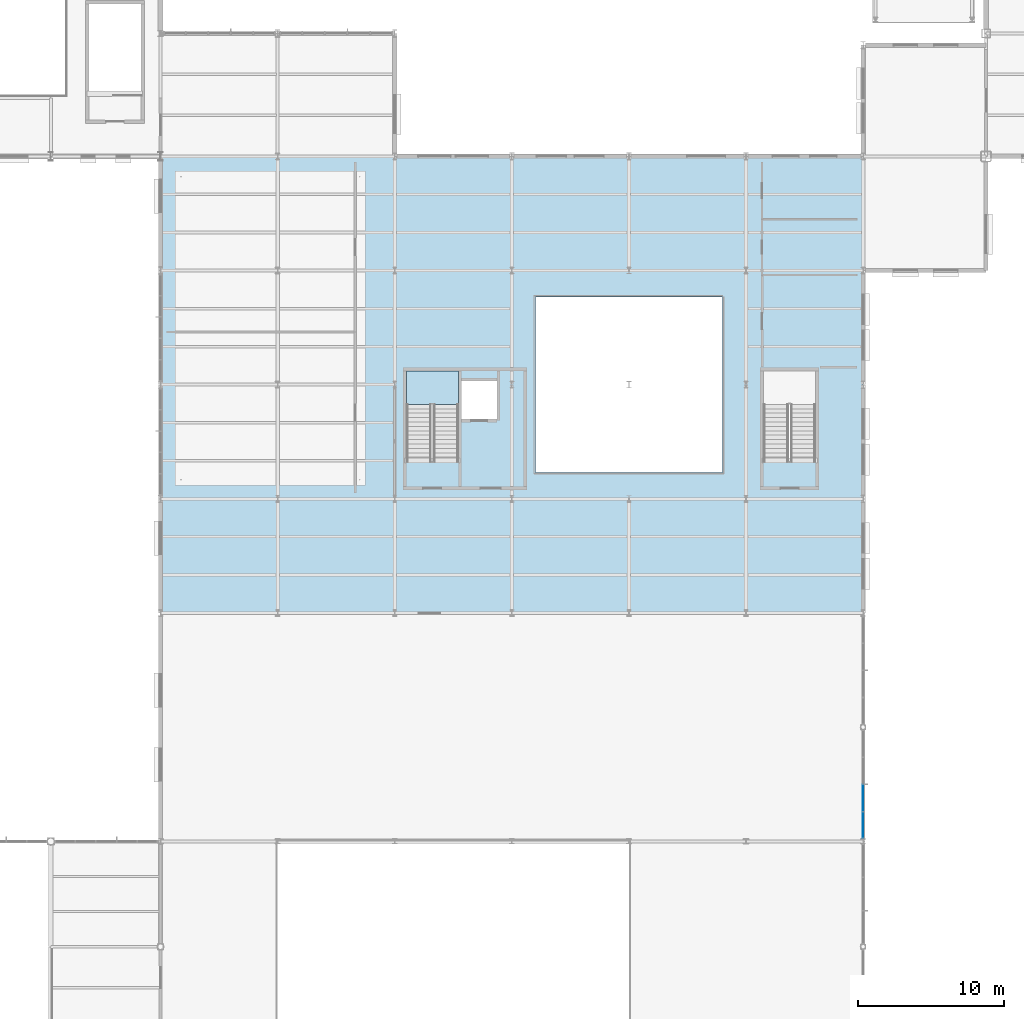
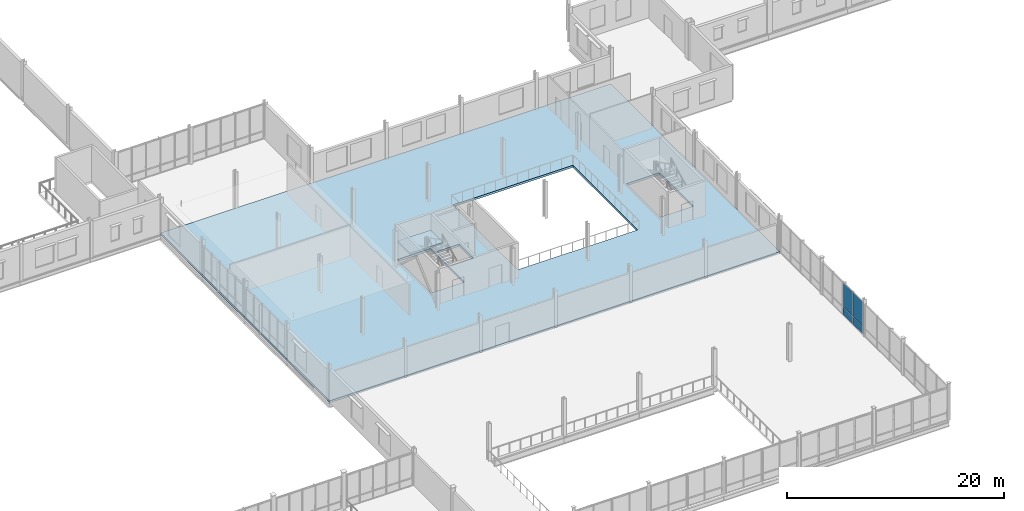
# One storey, part 47 of 75: 4 plates, 2 slabs, 2 elements without a shape of their own.
"""IFC4 building model written with IfcOpenShell, lengths in metres."""

import ifcopenshell
import ifcopenshell.guid

model = None  # the IFC model being written
_history = None  # IfcOwnerHistory: only IFC2X3 demands one
_inside = {}  # id of a spatial element -> (the spatial element, [elements in it])
_under = {}  # id of a project, library or spatial element -> (it, [spatial elements below it])
_declared = {}  # id of a project -> (the project, [libraries it declares])
_typed = {}  # id of a type object -> (the type object, [elements of that type])
_made_of = {}  # id of a material, layer set ... -> (it, [elements and type objects made of it])


def new_model(schema):
    """Start an empty IFC model of exactly this schema.

    Asked for "IFC4X3", IfcOpenShell would pick the latest addendum, in which some entities
    have other attributes; the version numbers below select the first issue.
    IFC2X3 requires an IfcOwnerHistory on every rooted entity: one is made here for all.
    """
    global model, _history
    if schema == "IFC4X3":
        model = ifcopenshell.file(schema_version=(4, 3, 0, 0))
    else:
        model = ifcopenshell.file(schema=schema)
    _inside.clear()
    _under.clear()
    _declared.clear()
    _typed.clear()
    _made_of.clear()
    _history = None
    if model.schema == "IFC2X3":
        org = make("IfcOrganization", Name="unknown")
        user = make(
            "IfcPersonAndOrganization",
            ThePerson=make("IfcPerson", FamilyName="unknown"),
            TheOrganization=org,
        )
        app = make(
            "IfcApplication",
            ApplicationDeveloper=org,
            Version="unknown",
            ApplicationFullName="unknown",
            ApplicationIdentifier="unknown",
        )
        _history = make(
            "IfcOwnerHistory",
            OwningUser=user,
            OwningApplication=app,
            ChangeAction="ADDED",
            CreationDate=0,
        )
    return model


def make(cls, **values):
    """One entity of the class cls with the attributes given. An attribute that is None is left unset."""
    return model.create_entity(
        cls, **{name: value for name, value in values.items() if value is not None}
    )


def rooted(cls, **values):
    """An entity with a GlobalId (a new one), such as an element, a storey or a relation."""
    return make(cls, GlobalId=ifcopenshell.guid.new(), OwnerHistory=_history, **values)


def si_unit(unit_type, name, prefix=None):
    """IfcSIUnit, for example si_unit("LENGTHUNIT", "METRE", prefix="MILLI")."""
    return make("IfcSIUnit", UnitType=unit_type, Prefix=prefix, Name=name)


def assignment(units):
    """IfcUnitAssignment: the units of a project."""
    return None if units is None else make("IfcUnitAssignment", Units=units)


def point(xyz):
    """IfcCartesianPoint."""
    return None if xyz is None else make("IfcCartesianPoint", Coordinates=xyz)


def direction(xyz):
    """IfcDirection."""
    return None if xyz is None else make("IfcDirection", DirectionRatios=xyz)


def frame(location, z_axis=None, x_axis=None):
    """IfcAxis2Placement3D, a coordinate frame: its origin and axes. An axis left out is left unset."""
    return make(
        "IfcAxis2Placement3D",
        Location=point(location),
        Axis=direction(z_axis),
        RefDirection=direction(x_axis),
    )


def frame_2d(location, x_axis=None):
    """IfcAxis2Placement2D, a coordinate frame in the plane: its origin and x axis."""
    return make(
        "IfcAxis2Placement2D", Location=point(location), RefDirection=direction(x_axis)
    )


def origin():
    """The frame at (0, 0, 0) with its axes left unset."""
    return frame((0.0, 0.0, 0.0))


def origin_2d():
    """The frame at (0, 0) in the plane with its x axis left unset."""
    return frame_2d((0.0, 0.0))


def place(relative_to, where):
    """IfcLocalPlacement: puts the frame where relative to a parent placement (None: the world)."""
    return make(
        "IfcLocalPlacement", PlacementRelTo=relative_to, RelativePlacement=where
    )


def context(
    kind, dimensions, precision=None, world=None, true_north=None, identifier=None
):
    """IfcGeometricRepresentationContext, for example the 3D "Model" context."""
    return make(
        "IfcGeometricRepresentationContext",
        ContextIdentifier=identifier,
        ContextType=kind,
        CoordinateSpaceDimension=dimensions,
        Precision=precision,
        WorldCoordinateSystem=world,
        TrueNorth=true_north,
    )


def subcontext(parent, identifier, kind, view, scale=None):
    """IfcGeometricRepresentationSubContext, for example "Body" below "Model"."""
    return make(
        "IfcGeometricRepresentationSubContext",
        ContextIdentifier=identifier,
        ContextType=kind,
        ParentContext=parent,
        TargetScale=scale,
        TargetView=view,
    )


def project(units=None, contexts=None):
    """IfcProject with its units and contexts."""
    return rooted(
        "IfcProject",
        Name="project",
        RepresentationContexts=contexts,
        UnitsInContext=assignment(units),
    )


def spatial(cls, under=None, at=None, **own):
    """A site, building, storey or space (cls), placed at a placement, below another one or the project."""
    s = rooted(cls, ObjectPlacement=at, **own)
    if under is not None:
        _under.setdefault(under.id(), (under, []))[1].append(s)
    return s


def polyline(points):
    """IfcPolyline through the points."""
    return make("IfcPolyline", Points=[point(p) for p in points])


def profile(cls, at=None, kind="AREA", **sizes):
    """A parametric profile (cls). Its sizes go by their IFC names, for example OverallWidth=200.0."""
    return make(cls, ProfileType=kind, Position=at, **sizes)


def rectangle(**sizes):
    """IfcRectangleProfileDef."""
    return profile("IfcRectangleProfileDef", **sizes)


def outline(outer, holes=None, kind="AREA"):
    """IfcArbitraryClosedProfileDef: a profile drawn as a closed curve; with holes, ...WithVoids."""
    if holes is None:
        return make("IfcArbitraryClosedProfileDef", ProfileType=kind, OuterCurve=outer)
    return make(
        "IfcArbitraryProfileDefWithVoids",
        ProfileType=kind,
        OuterCurve=outer,
        InnerCurves=holes,
    )


def extrude(swept, where, along, depth):
    """IfcExtrudedAreaSolid: the profile swept, set in the frame where, extruded along a direction by depth."""
    return make(
        "IfcExtrudedAreaSolid",
        SweptArea=swept,
        Position=where,
        ExtrudedDirection=direction(along),
        Depth=depth,
    )


def shape(context_of_items, identifier, shape_type, items):
    """IfcShapeRepresentation: the items that make up one representation, for example the "Body"."""
    return make(
        "IfcShapeRepresentation",
        ContextOfItems=context_of_items,
        RepresentationIdentifier=identifier,
        RepresentationType=shape_type,
        Items=items,
    )


def material(Name=None, Category=None):
    """IfcMaterial."""
    return make("IfcMaterial", Name=Name, Category=Category)


def layer(
    of_material, thickness, ventilated=None, Name=None, Category=None, Priority=None
):
    """IfcMaterialLayer: one layer of a wall or slab, of a material (None: an air gap)."""
    return make(
        "IfcMaterialLayer",
        Material=of_material,
        LayerThickness=thickness,
        IsVentilated=ventilated,
        Name=Name,
        Category=Category,
        Priority=Priority,
    )


def layer_set(layers, Name=None):
    """IfcMaterialLayerSet."""
    return make("IfcMaterialLayerSet", MaterialLayers=layers, LayerSetName=Name)


def made_of(thing, what):
    """Note that an element or type object is made of a material, layer set ...; save() writes the relation."""
    if what is not None:
        _made_of.setdefault(what.id(), (what, []))[1].append(thing)
    return thing


def type_object(cls, material=None, **own):
    """A type object (cls), such as IfcWallType, which elements share."""
    return made_of(rooted(cls, **own), material)


def element(
    cls,
    number,
    at=None,
    inside=None,
    cuts=None,
    type_object=None,
    material=None,
    context=None,
    identifier="Body",
    shape_type=None,
    held_by="IfcProductDefinitionShape",
    body=None,
    shapes=None,
    **own,
):
    """One element of the class cls, such as IfcWall. Its Tag is "e" and its number.

    at: its placement. inside: the storey or other place that contains it. cuts: it is an
    opening in that element (IfcRelVoidsElement). A single representation is given by context,
    identifier, shape_type and body (its items); several are given by shapes. held_by: the class
    of the entity that holds the representations. save() writes the other relations.
    """
    e = rooted(cls, Tag="e%d" % number, ObjectPlacement=at, **own)
    if body is not None:
        shapes = [shape(context, identifier, shape_type, body)]
    if shapes is not None:
        e.Representation = make(held_by, Representations=shapes)
    if inside is not None:
        _inside.setdefault(inside.id(), (inside, []))[1].append(e)
    if cuts is not None:
        rooted(
            "IfcRelVoidsElement", RelatingBuildingElement=cuts, RelatedOpeningElement=e
        )
    if type_object is not None:
        _typed.setdefault(type_object.id(), (type_object, []))[1].append(e)
    return made_of(e, material)


def aggregate(whole, parts):
    """IfcRelAggregates: a whole, such as a stair, and the parts it consists of."""
    return rooted("IfcRelAggregates", RelatingObject=whole, RelatedObjects=parts)


def save(model, path):
    """Write the relations noted so far, then the file.

    IfcRelAggregates (storeys below a building ...), IfcRelContainedInSpatialStructure (elements
    in a storey), IfcRelDefinesByType, IfcRelAssociatesMaterial and IfcRelDeclares: one each for
    every whole, place, type object, material and project.
    """
    for whole, parts in _under.values():
        aggregate(whole, parts)
    for where, things in _inside.values():
        rooted(
            "IfcRelContainedInSpatialStructure",
            RelatedElements=things,
            RelatingStructure=where,
        )
    for kind, things in _typed.values():
        rooted("IfcRelDefinesByType", RelatedObjects=things, RelatingType=kind)
    for what, things in _made_of.values():
        rooted("IfcRelAssociatesMaterial", RelatedObjects=things, RelatingMaterial=what)
    for by, libraries in _declared.values():
        rooted("IfcRelDeclares", RelatingContext=by, RelatedDefinitions=libraries)
    model.write(path)


model = new_model("IFC4")

# Units and contexts
model_context = context("Model", 3, precision=1e-05, world=origin(), true_north=direction((0.0, 1.0)))
body_context = subcontext(model_context, "Body", "Model", "MODEL_VIEW")
ifc_project = project(units=[si_unit("LENGTHUNIT", "METRE"), si_unit("AREAUNIT", "SQUARE_METRE"), si_unit("VOLUMEUNIT", "CUBIC_METRE"), si_unit("PLANEANGLEUNIT", "RADIAN"), si_unit("MASSUNIT", "GRAM", prefix="KILO")], contexts=[model_context])

# Site, building, storey
site_placement = place(None, origin())
site = spatial("IfcSite", under=ifc_project, at=site_placement, CompositionType="ELEMENT")
building_placement = place(site_placement, origin())
building = spatial("IfcBuilding", under=site, at=building_placement, Name="Yukiwa Park Conservatory and Herbarium", CompositionType="ELEMENT")
storey_placement = place(building_placement, frame((0.0, 0.0, 4.800048828125)))
storey = spatial("IfcBuildingStorey", under=building, at=storey_placement, Name="L01", CompositionType="ELEMENT", Elevation=4.800048828125)

# Curtain wall, plates
ifc_material_1 = material(Name="Triple Low-E Insulated Glass", Category="glass")
ifc_layer_1 = layer(ifc_material_1, 0.18798828125)
ifc_layer_set_1 = layer_set([ifc_layer_1], Name="Triple Low-E Insulated Glass")
curtain_wall_type = type_object("IfcCurtainWallType", Name="CW-CONCOURSE-2000", PredefinedType="NOTDEFINED", material=ifc_layer_set_1)
curtain_wall_placement = place(storey_placement, origin())
curtain_wall = element("IfcCurtainWall", 1, at=curtain_wall_placement, inside=storey, type_object=curtain_wall_type, Name="L01 unitised curtain wall CW-L01-044", PredefinedType="NOTDEFINED")
ifc_material_2 = material(Name="Triple Low-E Insulated Glass", Category="glass")
ifc_layer_2 = layer(ifc_material_2, 0.035888671875)
ifc_layer_set_2 = layer_set([ifc_layer_2], Name="Triple Low-E Insulated Glass")
plate_type_1 = type_object("IfcPlateType", Name="PL-CW-GLZ-36", PredefinedType="CURTAIN_PANEL", material=ifc_layer_set_2)
plate_1_placement = place(storey_placement, frame((108.0, 32.305908203125, 0.93505859375), z_axis=(0.0, 0.0, 1.0), x_axis=(0.0, 1.0, 0.0)))
plate_1 = element("IfcPlate", 2, at=plate_1_placement, type_object=plate_type_1, Name="CW-L01-044 vision panel 1.2", PredefinedType="CURTAIN_PANEL", context=body_context, shape_type="SweptSolid", body=[
    extrude(rectangle(XDim=1.791748046875, YDim=0.035888671875, at=origin_2d()), origin(), (0.0, 0.0, 1.0), 2.695068359375),
])
plate_2_placement = place(storey_placement, frame((108.0, 34.167724609375, 0.93505859375), z_axis=(0.0, 0.0, 1.0), x_axis=(0.0, 1.0, 0.0)))
plate_2 = element("IfcPlate", 3, at=plate_2_placement, type_object=plate_type_1, Name="CW-L01-044 vision panel 2.2", PredefinedType="CURTAIN_PANEL", context=body_context, shape_type="SweptSolid", body=[
    extrude(rectangle(XDim=1.791748046875, YDim=0.035888671875, at=origin_2d()), origin(), (0.0, 0.0, 1.0), 2.695068359375),
])
ifc_material_3 = material(Name="Anodised Aluminium", Category="aluminium")
ifc_layer_3 = layer(ifc_material_3, 0.044921875)
ifc_layer_set_3 = layer_set([ifc_layer_3], Name="Anodised Aluminium")
plate_type_2 = type_object("IfcPlateType", Name="PL-CW-SPN-45", PredefinedType="CURTAIN_PANEL", material=ifc_layer_set_3)
plate_3_placement = place(storey_placement, frame((108.0, 32.305908203125, 0.070068359375), z_axis=(0.0, 0.0, 1.0), x_axis=(0.0, 1.0, 0.0)))
plate_3 = element("IfcPlate", 4, at=plate_3_placement, type_object=plate_type_2, Name="CW-L01-044 spandrel panel 1.1", PredefinedType="CURTAIN_PANEL", context=body_context, shape_type="SweptSolid", body=[
    extrude(rectangle(XDim=1.791748046875, YDim=0.044921875, at=origin_2d()), origin(), (0.0, 0.0, 1.0), 0.794921875),
])
plate_4_placement = place(storey_placement, frame((108.0, 34.167724609375, 0.070068359375), z_axis=(0.0, 0.0, 1.0), x_axis=(0.0, 1.0, 0.0)))
plate_4 = element("IfcPlate", 5, at=plate_4_placement, type_object=plate_type_2, Name="CW-L01-044 spandrel panel 2.1", PredefinedType="CURTAIN_PANEL", context=body_context, shape_type="SweptSolid", body=[
    extrude(rectangle(XDim=1.791748046875, YDim=0.044921875, at=origin_2d()), origin(), (0.0, 0.0, 1.0), 0.794921875),
])
aggregate(curtain_wall, [plate_3, plate_1, plate_4, plate_2])

# Slab
ifc_material_4 = material(Name="Concrete C40", Category="concrete")
ifc_layer_4 = layer(ifc_material_4, 0.239990234375)
ifc_layer_set_4 = layer_set([ifc_layer_4], Name="Concrete C40")
slab_type_1 = type_object("IfcSlabType", Name="SL-FLR-240", PredefinedType="FLOOR", material=ifc_layer_set_4)
slab_1_placement = place(storey_placement, frame((0.0, 0.0, -0.239990234375)))
element("IfcSlab", 6, at=slab_1_placement, inside=storey, type_object=slab_type_1, Name="L01 composite structural floor slab V3", PredefinedType="FLOOR", context=body_context, shape_type="SweptSolid", body=[
    extrude(outline(polyline([(60.0, 78.0), (108.0, 78.0), (108.0, 46.800048828125), (60.0, 46.800048828125), (60.0, 78.0)]), holes=[polyline([(85.60009765625, 68.39990234375), (85.60009765625, 56.39990234375), (98.39990234375, 56.39990234375), (98.39990234375, 68.39990234375), (85.60009765625, 68.39990234375)]), polyline([(80.35009765625, 63.35009765625), (76.800048828125, 63.35009765625), (76.800048828125, 57.14990234375), (80.35009765625, 57.14990234375), (80.35009765625, 63.35009765625)]), polyline([(104.75, 63.35009765625), (101.199951171875, 63.35009765625), (101.199951171875, 57.14990234375), (104.75, 57.14990234375), (104.75, 63.35009765625)]), polyline([(82.969970703125, 62.64990234375), (80.570068359375, 62.64990234375), (80.570068359375, 60.050048828125), (82.969970703125, 60.050048828125), (82.969970703125, 62.64990234375)])]), origin(), (0.0, 0.0, 1.0), 0.239990234375),
])

# Stair, slab
ifc_material_5 = material(Name="Concrete C40", Category="concrete")
stair_type = type_object("IfcStairType", Name="ST-DOGLEG-ST-V1", PredefinedType="HALF_TURN_STAIR", material=ifc_material_5)
stair_placement = place(storey_placement, origin())
stair = element("IfcStair", 7, at=stair_placement, inside=storey, type_object=stair_type, Name="L01 Visitor Core Exit Stair ST-V1", PredefinedType="HALF_TURN_STAIR")
ifc_material_6 = material(Name="Concrete C40", Category="concrete")
ifc_layer_5 = layer(ifc_material_6, 0.199951171875)
ifc_layer_set_5 = layer_set([ifc_layer_5], Name="Concrete C40")
slab_type_2 = type_object("IfcSlabType", Name="SL-LANDING-220", PredefinedType="LANDING", material=ifc_layer_set_5)
slab_2_placement = place(storey_placement, frame((0.0, 0.0, 1.89990234375)))
slab_2 = element("IfcSlab", 8, at=slab_2_placement, type_object=slab_type_2, Name="ST-V1 landing 1", PredefinedType="LANDING", context=body_context, shape_type="SweptSolid", body=[
    extrude(outline(polyline([(80.35009765625, 61.050048828125), (80.35009765625, 63.35009765625), (76.800048828125, 63.35009765625), (76.800048828125, 61.050048828125), (80.35009765625, 61.050048828125)])), origin(), (0.0, 0.0, 1.0), 0.199951171875),
])
aggregate(stair, [slab_2])

save(model, "model.ifc")
